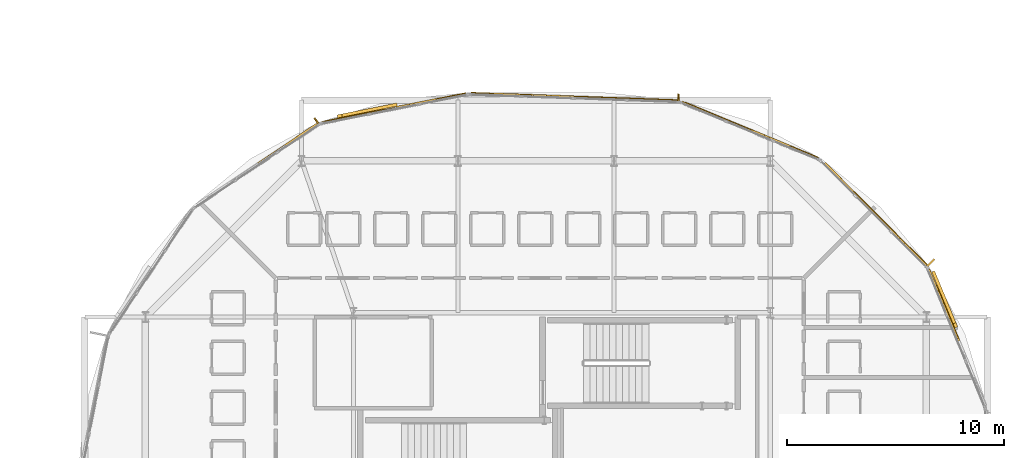
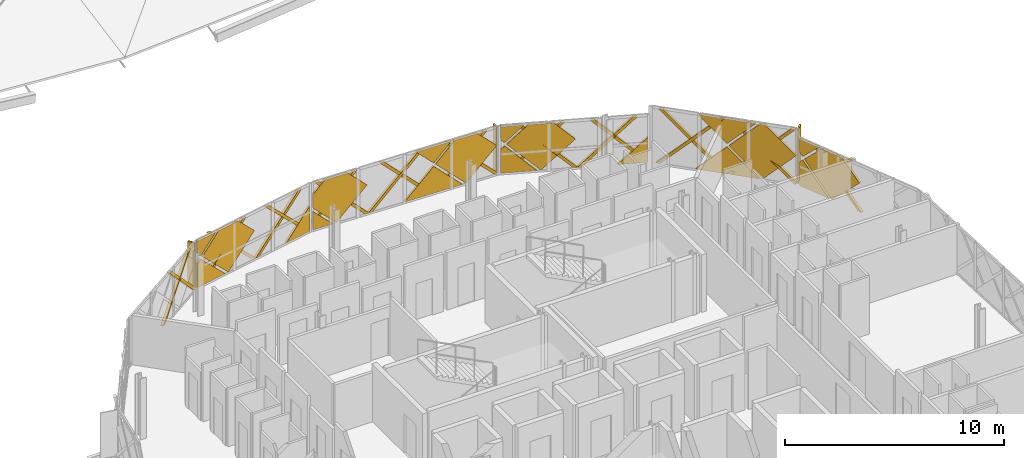
# One storey, part 40 of 40: 41 coverings, 3 shading devices.
"""IFC4 building model written with IfcOpenShell, lengths in metres."""

from ifc_helpers import new_model, si_unit, direction, frame, origin, origin_2d, place, context, subcontext, project, spatial, polyline, rectangle, outline, extrude, material, layer, layer_set, type_object, element, save


model = new_model("IFC4")

# Units and contexts
model_context = context("Model", 3, precision=1e-05, world=origin(), true_north=direction((0.0, 1.0)))
body_context = subcontext(model_context, "Body", "Model", "MODEL_VIEW")
ifc_project = project(units=[si_unit("LENGTHUNIT", "METRE"), si_unit("AREAUNIT", "SQUARE_METRE"), si_unit("VOLUMEUNIT", "CUBIC_METRE"), si_unit("PLANEANGLEUNIT", "RADIAN"), si_unit("MASSUNIT", "GRAM", prefix="KILO")], contexts=[model_context])

# Site, building, storey
site_placement = place(None, origin())
site = spatial("IfcSite", under=ifc_project, at=site_placement, CompositionType="ELEMENT")
building_placement = place(site_placement, origin())
building = spatial("IfcBuilding", under=site, at=building_placement, Name="Zevrakil Square Congress Hotel", CompositionType="ELEMENT")
storey_placement = place(building_placement, frame((0.0, 0.0, 18.10009765625)))
storey = spatial("IfcBuildingStorey", under=building, at=storey_placement, Name="L05", CompositionType="ELEMENT", Elevation=18.10009765625)

# Coverings
ifc_material_1 = material(Name="Architectural White Fibre-C GRC", Category="concrete")
ifc_layer_1 = layer(ifc_material_1, 0.06494140625)
ifc_layer_set_1 = layer_set([ifc_layer_1], Name="Architectural White Fibre-C GRC")
covering_type_1 = type_object("IfcCoveringType", Name="COV-DIA-WHITE", PredefinedType="CLADDING", material=ifc_layer_set_1)
covering_1_placement = place(storey_placement, frame((163.4228515625, 40.44482421875, 1.58984375), z_axis=(0.92386810369, 0.382710638562, 0.000542324282), x_axis=(-0.270236009364, 0.653355103566, -0.707177211092)))
element("IfcCovering", 1, at=covering_1_placement, inside=storey, type_object=covering_type_1, Name="L05 45-degree white GRC diamond facade cassette 2372", PredefinedType="CLADDING", context=body_context, shape_type="SweptSolid", body=[
    extrude(outline(polyline([(0.0, 0.0), (0.26272196635071365, 2.7755575615628914e-17), (1.1991408726097759, -0.9363095231817212), (0.00019873089311528425, -2.135490849810203), (0.0, 0.0)])), origin(), (0.0, 0.0, -1.0), 0.1201171875),
])
covering_2_placement = place(storey_placement, frame((163.45703125, 40.361572265625, 1.679931640625), z_axis=(0.923868132902, 0.382710536749, 0.000563975679), x_axis=(0.270971417338, -0.653086396592, -0.707144009076)))
element("IfcCovering", 2, at=covering_2_placement, inside=storey, type_object=covering_type_1, Name="L05 45-degree white GRC diamond facade cassette 2373", PredefinedType="CLADDING", context=body_context, shape_type="SweptSolid", body=[
    extrude(outline(polyline([(0.0, 0.0), (2.2486055332738273, 2.220446049250313e-16), (2.2485435087937033, -2.248781017207085), (0.8555762861579158, -2.2485473887816574), (-1.8291157834915417e-05, -1.3928624696393097), (0.0, 0.0)])), origin(), (0.0, 0.0, -1.0), 0.1201171875),
])
covering_3_placement = place(storey_placement, frame((163.422607421875, 40.444580078125, 1.77001953125), z_axis=(0.923928692641, 0.382564423491, 0.000482487648), x_axis=(0.270210514983, -0.653475304746, 0.707075882547)))
element("IfcCovering", 3, at=covering_3_placement, inside=storey, type_object=covering_type_1, Name="L05 45-degree white GRC diamond facade cassette 2374", PredefinedType="CLADDING", context=body_context, shape_type="SweptSolid", body=[
    extrude(outline(polyline([(0.0, 0.0), (1.265458715381095, 1.1102230246251565e-16), (0.5011885472184686, -0.7642036317921328), (1.4733281551077004e-05, -0.26272194843532876), (0.0, 0.0)])), origin(), (0.0, 0.0, -1.0), 0.1201171875),
])
covering_4_placement = place(storey_placement, frame((160.9169921875, 43.115234375, 1.58984375), z_axis=(0.707106614827, 0.707106614827, 0.000685956296), x_axis=(-0.499630908672, 0.500316900766, -0.707143517193)))
element("IfcCovering", 4, at=covering_4_placement, inside=storey, type_object=covering_type_1, Name="L05 45-degree white GRC diamond facade cassette 2379", PredefinedType="CLADDING", context=body_context, shape_type="SweptSolid", body=[
    extrude(outline(polyline([(0.0, 0.0), (2.135365352169135, -2.220446049250313e-16), (-2.124186131835515e-05, -2.135609493903064), (0.0, 0.0)])), origin(), (0.0, 0.0, -1.0), 0.1201171875),
])
covering_5_placement = place(storey_placement, frame((160.980712890625, 43.051513671875, 1.679931640625), z_axis=(0.707087362798, 0.707125901516, 0.000648672962), x_axis=(0.500316941405, -0.49964099132, -0.707136364456)))
element("IfcCovering", 5, at=covering_5_placement, inside=storey, type_object=covering_type_1, Name="L05 45-degree white GRC diamond facade cassette 2380", PredefinedType="CLADDING", context=body_context, shape_type="SweptSolid", body=[
    extrude(outline(polyline([(0.0, 0.0), (2.2486297484741664, 0.0), (2.248561203181544, -2.2345936899559224), (2.2342825169445337, -2.248627038440612), (0.19790152918434112, -2.2485454157540836), (-8.818845235603057e-05, -2.050539040138185), (0.0, 0.0)])), origin(), (0.0, 0.0, -1.0), 0.1201171875),
])
covering_6_placement = place(storey_placement, frame((160.9169921875, 43.114990234375, 1.77001953125), z_axis=(0.70710669002, 0.70710669002, 0.000507796546), x_axis=(0.499772437251, -0.500280207063, 0.707069462913)))
element("IfcCovering", 6, at=covering_6_placement, inside=storey, type_object=covering_type_1, Name="L05 45-degree white GRC diamond facade cassette 2381", PredefinedType="CLADDING", context=body_context, shape_type="SweptSolid", body=[
    extrude(outline(polyline([(0.0, 0.0), (1.9232385961724336, 1.1102230246251565e-16), (-0.00020250048524272923, -1.9232385855116536), (0.0, 0.0)])), origin(), (0.0, 0.0, -1.0), 0.1201171875),
])
covering_7_placement = place(storey_placement, frame((156.9140625, 46.2919921875, 0.079833984375), z_axis=(0.382647363944, 0.92389426878, 0.000612357606), x_axis=(0.923894442002, -0.382647435687, 0.0)))
element("IfcCovering", 7, at=covering_7_placement, inside=storey, type_object=covering_type_1, Name="L05 45-degree white GRC diamond facade cassette 2386", PredefinedType="CLADDING", context=body_context, shape_type="SweptSolid", body=[
    extrude(outline(polyline([(0.0, 0.0), (1.4100467713356626, 5.421010862427522e-20), (1.4098759103549634, -1.4101565143915655), (0.0, 0.0)])), origin(), (0.0, 0.0, -1.0), 0.1201171875),
])
covering_8_placement = place(storey_placement, frame((152.100341796875, 48.284912109375, 1.58984375), z_axis=(0.382714743738, 0.923866349879, 0.000626487164), x_axis=(-0.653201728691, 0.271070440395, -0.706999517665)))
element("IfcCovering", 8, at=covering_8_placement, inside=storey, type_object=covering_type_1, Name="L05 45-degree white GRC diamond facade cassette 2387", PredefinedType="CLADDING", context=body_context, shape_type="SweptSolid", body=[
    extrude(outline(polyline([(0.0, 0.0), (0.2627880900411389, -2.7755575615628914e-17), (1.199049172416016, -0.936467338451697), (-0.00019416830248641936, -2.135347450146476), (0.0, 0.0)])), origin(), (0.0, 0.0, -1.0), 0.1201171875),
])
covering_9_placement = place(storey_placement, frame((152.183349609375, 48.25048828125, 1.679931640625), z_axis=(0.382653329303, 0.923891819904, 0.000578522626), x_axis=(0.653463314974, -0.270205711108, -0.707088798998)))
element("IfcCovering", 9, at=covering_9_placement, inside=storey, type_object=covering_type_1, Name="L05 45-degree white GRC diamond facade cassette 2388", PredefinedType="CLADDING", context=body_context, shape_type="SweptSolid", body=[
    extrude(outline(polyline([(0.0, 0.0), (2.248781019445172, 0.0), (2.2486530265031996, -2.248539379325896), (0.8558565288965944, -2.248585405707619), (0.00019521218835394372, -1.3929672305248368), (0.0, 0.0)])), origin(), (0.0, 0.0, -1.0), 0.1201171875),
])
covering_10_placement = place(storey_placement, frame((152.100341796875, 48.284912109375, 1.77001953125), z_axis=(0.382719930923, 0.923864173966, 0.000665234678), x_axis=(0.653173255043, -0.27109261572, 0.707017321287)))
element("IfcCovering", 10, at=covering_10_placement, inside=storey, type_object=covering_type_1, Name="L05 45-degree white GRC diamond facade cassette 2389", PredefinedType="CLADDING", context=body_context, shape_type="SweptSolid", body=[
    extrude(outline(polyline([(0.0, 0.0), (1.2655635373964549, 1.1102230246251565e-16), (0.5012301623589793, -0.7641404184906057), (-6.974602123094309e-06, -0.2627219612777768), (0.0, 0.0)])), origin(), (0.0, 0.0, -1.0), 0.1201171875),
])
covering_11_placement = place(storey_placement, frame((148.44580078125, 48.52099609375, 1.58984375), z_axis=(0.035489676318, 0.999369883002, 0.000565528632), x_axis=(-0.706648253085, 0.025494670836, -0.707105556598)))
element("IfcCovering", 11, at=covering_11_placement, inside=storey, type_object=covering_type_1, Name="L05 45-degree white GRC diamond facade cassette 2394", PredefinedType="CLADDING", context=body_context, shape_type="SweptSolid", body=[
    extrude(outline(polyline([(0.0, 0.0), (2.1354799881517508, 0.0), (3.617342239548016e-05, -2.1354371012546096), (0.0, 0.0)])), origin(), (0.0, 0.0, -1.0), 0.1201171875),
])
covering_12_placement = place(storey_placement, frame((142.205810546875, 48.7431640625, 1.11376953125), z_axis=(0.035657829585, 0.99936380664, 0.000707931858), x_axis=(0.0, 0.000708382349, -0.999999749097)))
element("IfcCovering", 12, at=covering_12_placement, inside=storey, type_object=covering_type_1, Name="L05 45-degree white GRC diamond facade cassette 2395", PredefinedType="CLADDING", context=body_context, shape_type="SweptSolid", body=[
    extrude(outline(polyline([(0.0, 0.0), (1.0339358062923965, 0.0), (1.03390969161108, -1.0338606010160714), (0.0, 0.0)])), origin(), (0.0, 0.0, -1.0), 0.1201171875),
])
covering_13_placement = place(storey_placement, frame((148.53564453125, 48.517578125, 1.679931640625), z_axis=(0.035506235512, 0.999369302396, 0.000551966962), x_axis=(0.706672299409, -0.024716560878, -0.707109152017)))
element("IfcCovering", 13, at=covering_13_placement, inside=storey, type_object=covering_type_1, Name="L05 45-degree white GRC diamond facade cassette 2396", PredefinedType="CLADDING", context=body_context, shape_type="SweptSolid", body=[
    extrude(outline(polyline([(0.0, 0.0), (2.248716446108385, 2.220446049250313e-16), (2.248575577862706, -2.2344353438252833), (2.2344195840967336, -2.2485912383523816), (0.8556900163553832, -2.2485080325447555), (9.968098278656523e-05, -1.392911694046281), (0.0, 0.0)])), origin(), (0.0, 0.0, -1.0), 0.1201171875),
])
covering_14_placement = place(storey_placement, frame((143.408935546875, 48.700927734375, 0.08984375), z_axis=(0.035569453093, 0.999367035982, 0.00058429363), x_axis=(0.706603384833, -0.025562858353, 0.707147931352)))
element("IfcCovering", 14, at=covering_14_placement, inside=storey, type_object=covering_type_1, Name="L05 45-degree white GRC diamond facade cassette 2397", PredefinedType="CLADDING", context=body_context, shape_type="SweptSolid", body=[
    extrude(outline(polyline([(0.0, 0.0), (2.2485929143314225, -2.220446049250313e-16), (2.2485942679454523, -1.392887225158809), (1.393050901698934, -2.2485305270332105), (0.5461773992024778, -2.248513336623052), (9.340687229741906e-05, -1.7025176482123268), (0.0, 0.0)])), origin(), (0.0, 0.0, -1.0), 0.1201171875),
])
covering_15_placement = place(storey_placement, frame((148.44580078125, 48.520751953125, 1.77001953125), z_axis=(0.03546286601, 0.99937084329, 0.000550197304), x_axis=(0.706684505221, -0.025466108296, 0.707070355346)))
element("IfcCovering", 15, at=covering_15_placement, inside=storey, type_object=covering_type_1, Name="L05 45-degree white GRC diamond facade cassette 2398", PredefinedType="CLADDING", context=body_context, shape_type="SweptSolid", body=[
    extrude(outline(polyline([(0.0, 0.0), (1.2654686819487004, -1.1102230246251565e-16), (-0.0002780362905285827, -1.265616704255481), (0.0, 0.0)])), origin(), (0.0, 0.0, -1.0), 0.1201171875),
])
covering_16_placement = place(storey_placement, frame((140.60302734375, 48.451171875, 0.079833984375), z_axis=(-0.194983743053, 0.980806323849, 0.00054317914), x_axis=(0.980806468539, 0.194983771818, 0.0)))
element("IfcCovering", 16, at=covering_16_placement, inside=storey, type_object=covering_type_1, Name="L05 45-degree white GRC diamond facade cassette 2405", PredefinedType="CLADDING", context=body_context, shape_type="SweptSolid", body=[
    extrude(outline(polyline([(0.0, 0.0), (1.409872940642345, 0.0), (1.409969584966829, -1.4101564580288195), (0.0, 0.0)])), origin(), (0.0, 0.0, -1.0), 0.1201171875),
])
covering_17_placement = place(storey_placement, frame((135.493408203125, 47.433837890625, 1.58984375), z_axis=(-0.195072885636, 0.980788584828, 0.000566709906), x_axis=(-0.694292848277, -0.137682460413, -0.706400014812)))
element("IfcCovering", 17, at=covering_17_placement, inside=storey, type_object=covering_type_1, Name="L05 45-degree white GRC diamond facade cassette 2406", PredefinedType="CLADDING", context=body_context, shape_type="SweptSolid", body=[
    extrude(outline(polyline([(0.0, 0.0), (0.26266547193871315, 2.7755575615628914e-17), (1.1981652358479145, -0.9375727575880457), (-0.002050246652826493, -2.1353929644473197), (0.0, 0.0)])), origin(), (0.0, 0.0, -1.0), 0.1201171875),
])
covering_18_placement = place(storey_placement, frame((135.58154296875, 47.451416015625, 1.679931640625), z_axis=(-0.1950162541, 0.980799811959, 0.000624097602), x_axis=(0.693434642313, 0.138328264789, -0.707116459998)))
element("IfcCovering", 18, at=covering_18_placement, inside=storey, type_object=covering_type_1, Name="L05 45-degree white GRC diamond facade cassette 2407", PredefinedType="CLADDING", context=body_context, shape_type="SweptSolid", body=[
    extrude(outline(polyline([(0.0, 0.0), (2.248693060000993, 2.220446049250313e-16), (2.248530602566895, -2.248593056822484), (0.85573855043252, -2.2485889171417317), (-3.3584083419913036e-05, -1.3927930783181688), (0.0, 0.0)])), origin(), (0.0, 0.0, -1.0), 0.1201171875),
])
covering_19_placement = place(storey_placement, frame((135.493408203125, 47.43359375, 1.77001953125), z_axis=(-0.195051786649, 0.980792846364, 0.000439370836), x_axis=(0.693588027235, 0.137618155841, 0.707104583255)))
element("IfcCovering", 19, at=covering_19_placement, inside=storey, type_object=covering_type_1, Name="L05 45-degree white GRC diamond facade cassette 2408", PredefinedType="CLADDING", context=body_context, shape_type="SweptSolid", body=[
    extrude(outline(polyline([(0.0, 0.0), (1.2654074708621406, 0.0), (0.5013376235193183, -0.7640652000394936), (-0.00012751227143301125, -0.26252969844548074), (0.0, 0.0)])), origin(), (0.0, 0.0, -1.0), 0.1201171875),
])
ifc_material_2 = material(Name="Anodised Champagne Aluminium", Category="aluminium")
ifc_layer_2 = layer(ifc_material_2, 0.0849609375)
ifc_layer_set_2 = layer_set([ifc_layer_2], Name="Anodised Champagne Aluminium")
covering_type_2 = type_object("IfcCoveringType", Name="COV-DIAGRID-45", PredefinedType="MOLDING", material=ifc_layer_set_2)
covering_20_placement = place(storey_placement, frame((164.661376953125, 37.522216796875, 0.079833984375), z_axis=(0.923960368671, 0.382487334662, 0.000822161227), x_axis=(0.382487463933, -0.923960680946, 0.0)))
element("IfcCovering", 20, at=covering_20_placement, inside=storey, type_object=covering_type_2, Name="L05 45-degree aluminium diagrid rib 2376", PredefinedType="MOLDING", context=body_context, shape_type="SweptSolid", body=[
    extrude(outline(polyline([(0.0, 0.0), (0.21191462503525568, 1.3552527156068805e-20), (-2.373160958043723, -2.5849618111514316), (-2.5850755830789782, -2.5849618111514316), (0.0, 0.0)])), origin(), (0.0, 0.0, -1.0), 0.14501953125),
])
covering_21_placement = place(storey_placement, frame((164.505615234375, 37.893798828125, 2.664794921875), z_axis=(-0.924128955736, -0.382080713953, 3.4564495e-05), x_axis=(-0.382080714181, 0.924128956288, 0.0)))
element("IfcCovering", 21, at=covering_21_placement, inside=storey, type_object=covering_type_2, Name="L05 45-degree aluminium diagrid rib 2378", PredefinedType="MOLDING", context=body_context, shape_type="SweptSolid", body=[
    extrude(outline(polyline([(0.0, 0.0), (0.2121402219257289, -4.235164736271502e-22), (2.7972233290691957, 2.5849609390441315), (2.585083107143467, 2.5849609390441315), (0.0, 0.0)])), origin(), (0.0, 0.0, -1.0), 0.14501953125),
])
covering_22_placement = place(storey_placement, frame((163.1796875, 40.88916015625, 0.079833984375), z_axis=(0.706986236272, 0.707227190917, 0.000402678556), x_axis=(0.707227248236, -0.70698629361, 6.8609e-08)))
element("IfcCovering", 22, at=covering_22_placement, inside=storey, type_object=covering_type_2, Name="L05 45-degree aluminium diagrid rib 2382", PredefinedType="MOLDING", context=body_context, shape_type="SweptSolid", body=[
    extrude(outline(polyline([(0.0, 0.0), (0.08597147751945217, 0.0), (0.08597148617928302, -0.12622069289165455), (-2.837749376972262, -3.0500492760003053), (-3.050088568435969, -3.0500492760003053), (0.0, 0.0)])), origin(), (0.0, 0.0, -1.0), 0.14501953125),
])
covering_23_placement = place(storey_placement, frame((160.803955078125, 43.26513671875, 0.079833984375), z_axis=(0.70739416073, 0.706818575571, 0.001001296107), x_axis=(0.706818929608, -0.707394515633, 4.07196e-07)))
element("IfcCovering", 23, at=covering_23_placement, inside=storey, type_object=covering_type_2, Name="L05 45-degree aluminium diagrid rib 2383", PredefinedType="MOLDING", context=body_context, shape_type="SweptSolid", body=[
    extrude(outline(polyline([(0.0, 0.0), (0.21216661374355517, 1.3552527156068805e-20), (-2.8379197168788295, -3.050051512696679), (-3.049913626883216, -3.0500516854132305), (0.0, 0.0)])), origin(), (0.0, 0.0, -1.0), 0.14501953125),
])
covering_24_placement = place(storey_placement, frame((163.222412109375, 40.843994140625, 3.1298828125), z_axis=(0.707106667923, 0.707106667923, 0.000566002296), x_axis=(-0.707106781187, 0.707106781187, 0.0)))
element("IfcCovering", 24, at=covering_24_placement, inside=storey, type_object=covering_type_2, Name="L05 45-degree aluminium diagrid rib 2384", PredefinedType="MOLDING", context=body_context, shape_type="SweptSolid", body=[
    extrude(outline(polyline([(0.0, 0.0), (0.21199392756276378, 0.0), (3.2620824553957526, -3.0500493166798015), (3.0500885278329886, -3.0500493166798015), (0.0, 0.0)])), origin(), (0.0, 0.0, -1.0), 0.14501953125),
])
covering_25_placement = place(storey_placement, frame((160.846435546875, 43.2197265625, 3.1298828125), z_axis=(0.707394268914, 0.706819151622, 0.000187639325), x_axis=(-0.706819164055, 0.707394281377, -7.6369e-08)))
element("IfcCovering", 25, at=covering_25_placement, inside=storey, type_object=covering_type_2, Name="L05 45-degree aluminium diagrid rib 2385", PredefinedType="MOLDING", context=body_context, shape_type="SweptSolid", body=[
    extrude(outline(polyline([(0.0, 0.0), (0.2121666137149648, 3.3881317890172014e-21), (3.262255824313555, -3.0500486326828886), (3.049916647326116, -3.0500486651020693), (0.0, 0.0)])), origin(), (0.0, 0.0, -1.0), 0.14501953125),
])
covering_26_placement = place(storey_placement, frame((158.146728515625, 45.80859375, 0.079833984375), z_axis=(0.383184473222, 0.923671149063, 0.001125997495), x_axis=(0.923671734917, -0.383184715398, -7.10143e-07)))
element("IfcCovering", 26, at=covering_26_placement, inside=storey, type_object=covering_type_2, Name="L05 45-degree aluminium diagrid rib 2390", PredefinedType="MOLDING", context=body_context, shape_type="SweptSolid", body=[
    extrude(outline(polyline([(0.0, 0.0), (0.08614426810588853, 0.0), (0.08623772942704955, -0.12622087709459315), (-2.372624076796281, -2.5849608546564684), (-2.584857698223528, -2.5849607354547346), (0.0, 0.0)])), origin(), (0.0, 0.0, -1.0), 0.14501953125),
])
covering_27_placement = place(storey_placement, frame((155.04248046875, 47.09423828125, 0.079833984375), z_axis=(0.382283984767, 0.924044872817, 0.000167368108), x_axis=(0.924044885761, -0.382283990115, -3.6817e-08)))
element("IfcCovering", 27, at=covering_27_placement, inside=storey, type_object=covering_type_2, Name="L05 45-degree aluminium diagrid rib 2391", PredefinedType="MOLDING", context=body_context, shape_type="SweptSolid", body=[
    extrude(outline(polyline([(0.0, 0.0), (0.21214021679310652, 3.3881317890172014e-21), (-2.3729429426298583, -2.584960886340943), (-2.584857562527027, -2.584960870728607), (0.0, 0.0)])), origin(), (0.0, 0.0, -1.0), 0.14501953125),
])
covering_28_placement = place(storey_placement, frame((157.77392578125, 45.961181640625, 2.664794921875), z_axis=(0.383062893702, 0.923722233162, 0.000235434894), x_axis=(-0.923722258763, 0.383062904319, 0.0)))
element("IfcCovering", 28, at=covering_28_placement, inside=storey, type_object=covering_type_2, Name="L05 45-degree aluminium diagrid rib 2392", PredefinedType="MOLDING", context=body_context, shape_type="SweptSolid", body=[
    extrude(outline(polyline([(0.0, 0.0), (0.21223362327273487, 0.0), (2.797084510521853, -2.5849610091416646), (2.584850887249118, -2.5849610091416646), (0.0, 0.0)])), origin(), (0.0, 0.0, -1.0), 0.14501953125),
])
covering_29_placement = place(storey_placement, frame((154.669921875, 47.2470703125, 2.664794921875), z_axis=(0.382775380537, 0.923841331972, 0.000448771736), x_axis=(-0.923841424977, 0.382775419139, -1.3966e-07)))
element("IfcCovering", 29, at=covering_29_placement, inside=storey, type_object=covering_type_2, Name="L05 45-degree aluminium diagrid rib 2393", PredefinedType="MOLDING", context=body_context, shape_type="SweptSolid", body=[
    extrude(outline(polyline([(0.0, 0.0), (0.2122336129954984, 0.0), (2.797216642887445, -2.584960807141639), (2.585302028144905, -2.5849608663781254), (0.0, 0.0)])), origin(), (0.0, 0.0, -1.0), 0.14501953125),
])
covering_30_placement = place(storey_placement, frame((151.61865234375, 48.43408203125, 0.079833984375), z_axis=(0.035708064307, 0.999361988637, 0.000741492846), x_axis=(0.999362263343, -0.035708074782, 8.89327e-07)))
element("IfcCovering", 30, at=covering_30_placement, inside=storey, type_object=covering_type_2, Name="L05 45-degree aluminium diagrid rib 2399", PredefinedType="MOLDING", context=body_context, shape_type="SweptSolid", body=[
    extrude(outline(polyline([(0.0, 0.0), (0.08599602579809454, 4.235164736271502e-22), (0.08599613804961803, -0.12622066842613938), (-2.3727786340347254, -2.5849637941049566), (-2.585071787639105, -2.584963991970156), (0.0, 0.0)])), origin(), (0.0, 0.0, -1.0), 0.14501953125),
])
covering_31_placement = place(storey_placement, frame((148.2607421875, 48.553466796875, 0.079833984375), z_axis=(0.03567099946, 0.999363323589, 0.000726128736), x_axis=(0.999363587052, -0.035671008875, 1.4911e-08)))
element("IfcCovering", 31, at=covering_31_placement, inside=storey, type_object=covering_type_2, Name="L05 45-degree aluminium diagrid rib 2400", PredefinedType="MOLDING", context=body_context, shape_type="SweptSolid", body=[
    extrude(outline(polyline([(0.0, 0.0), (0.21204916866123885, 1.6940658945086007e-21), (-2.3727809656178143, -2.5849616543575133), (-2.585074119529798, -2.5849616606848196), (0.0, 0.0)])), origin(), (0.0, 0.0, -1.0), 0.14501953125),
])
covering_32_placement = place(storey_placement, frame((144.90283203125, 48.6728515625, 0.079833984375), z_axis=(0.035650501869, 0.999364068516, 0.00070730123), x_axis=(0.999364318495, -0.035650510786, 0.0)))
element("IfcCovering", 32, at=covering_32_placement, inside=storey, type_object=covering_type_2, Name="L05 45-degree aluminium diagrid rib 2401", PredefinedType="MOLDING", context=body_context, shape_type="SweptSolid", body=[
    extrude(outline(polyline([(0.0, 0.0), (0.2122931539566406, 8.470329472543003e-22), (-2.3727810421623614, -2.584961584095948), (-2.585074196119002, -2.584961584095948), (0.0, 0.0)])), origin(), (0.0, 0.0, -1.0), 0.14501953125),
])
covering_33_placement = place(storey_placement, frame((151.2158203125, 48.44677734375, 2.664794921875), z_axis=(0.035691526366, 0.999362738238, 0.000482044604), x_axis=(-0.999362854348, 0.035691530512, 0.0)))
element("IfcCovering", 33, at=covering_33_placement, inside=storey, type_object=covering_type_2, Name="L05 45-degree aluminium diagrid rib 2402", PredefinedType="MOLDING", context=body_context, shape_type="SweptSolid", body=[
    extrude(outline(polyline([(0.0, 0.0), (0.21204916870594673, 0.0), (2.7969925813128014, -2.5849612378298623), (2.5849434126068545, -2.5849612378298623), (0.0, 0.0)])), origin(), (0.0, 0.0, -1.0), 0.14501953125),
])
covering_34_placement = place(storey_placement, frame((147.858154296875, 48.566162109375, 2.664794921875), z_axis=(0.035650505909, 0.99936418177, 0.000523090158), x_axis=(-0.999364318495, 0.035650510786, 0.0)))
element("IfcCovering", 34, at=covering_34_placement, inside=storey, type_object=covering_type_2, Name="L05 45-degree aluminium diagrid rib 2403", PredefinedType="MOLDING", context=body_context, shape_type="SweptSolid", body=[
    extrude(outline(polyline([(0.0, 0.0), (0.2122931539566406, 0.0), (2.797236513240127, -2.584961291152861), (2.5849433592834865, -2.584961291152861), (0.0, 0.0)])), origin(), (0.0, 0.0, -1.0), 0.14501953125),
])
covering_35_placement = place(storey_placement, frame((144.500244140625, 48.685791015625, 2.664794921875), z_axis=(0.035320247546, 0.999375709512, 0.000819359991), x_axis=(-0.999376044997, 0.035320258852, 6.70951e-07)))
element("IfcCovering", 35, at=covering_35_placement, inside=storey, type_object=covering_type_2, Name="L05 45-degree aluminium diagrid rib 2404", PredefinedType="MOLDING", context=body_context, shape_type="SweptSolid", body=[
    extrude(outline(polyline([(0.0, 0.0), (0.21228451925490646, 0.0), (2.294947854142702, -2.08276591080715), (2.2949477117948756, -2.294924042715801), (0.0, 0.0)])), origin(), (0.0, 0.0, -1.0), 0.14501953125),
])
covering_36_placement = place(storey_placement, frame((141.896484375, 48.73388671875, 0.079833984375), z_axis=(-0.194535733649, 0.980894752008, 0.001154909518), x_axis=(0.980895406621, 0.194535861128, 1.993052e-06)))
element("IfcCovering", 36, at=covering_36_placement, inside=storey, type_object=covering_type_2, Name="L05 45-degree aluminium diagrid rib 2409", PredefinedType="MOLDING", context=body_context, shape_type="SweptSolid", body=[
    extrude(outline(polyline([(0.0, 0.0), (0.08608843975775217, 0.0), (0.08608869132212274, -0.12622061894712483), (-2.37282586958163, -2.584967473629775), (-2.5848862814400713, -2.5849679038249187), (0.0, 0.0)])), origin(), (0.0, 0.0, -1.0), 0.14501953125),
])
covering_37_placement = place(storey_placement, frame((138.601318359375, 48.078369140625, 0.079833984375), z_axis=(0.195783910453, -0.980647057355, 9.6480104e-05), x_axis=(0.980647061919, 0.195783911365, 1.0883e-08)))
element("IfcCovering", 37, at=covering_37_placement, inside=storey, type_object=covering_type_2, Name="L05 45-degree aluminium diagrid rib 2410", PredefinedType="MOLDING", context=body_context, shape_type="SweptSolid", body=[
    extrude(outline(polyline([(0.0, 0.0), (0.21186863150030014, 0.0), (-2.3730245796869247, 2.5849609753571325), (-2.585132626973826, 2.5849609799713718), (0.0, 0.0)])), origin(), (0.0, 0.0, -1.0), 0.14501953125),
])
covering_38_placement = place(storey_placement, frame((141.501708984375, 48.65380859375, 2.664794921875), z_axis=(-0.19511980893, 0.98077921657, 0.000623303648), x_axis=(-0.980779407047, -0.195119847048, 3.51823e-07)))
element("IfcCovering", 38, at=covering_38_placement, inside=storey, type_object=covering_type_2, Name="L05 45-degree aluminium diagrid rib 2411", PredefinedType="MOLDING", context=body_context, shape_type="SweptSolid", body=[
    extrude(outline(polyline([(0.0, 0.0), (0.212108014844328, 3.3881317890172014e-21), (2.797098972257622, -2.584962423721781), (2.5850385940947023, -2.5849622744896683), (0.0, 0.0)])), origin(), (0.0, 0.0, -1.0), 0.14501953125),
])
covering_39_placement = place(storey_placement, frame((138.206298828125, 47.998291015625, 2.664794921875), z_axis=(-0.195673266118, 0.980668369016, 0.001234073489), x_axis=(-0.980669115765, -0.195673415118, 0.0)))
element("IfcCovering", 39, at=covering_39_placement, inside=storey, type_object=covering_type_2, Name="L05 45-degree aluminium diagrid rib 2412", PredefinedType="MOLDING", context=body_context, shape_type="SweptSolid", body=[
    extrude(outline(polyline([(0.0, 0.0), (0.21210804863334146, -6.776263578034403e-21), (2.797098526677101, -2.584962905869062), (2.5849904780437596, -2.584962905869062), (0.0, 0.0)])), origin(), (0.0, 0.0, -1.0), 0.14501953125),
])
covering_40_placement = place(storey_placement, frame((135.010009765625, 47.2822265625, 0.079833984375), z_axis=(-0.555113914554, 0.83177351569, 0.001166389413), x_axis=(0.831774080677, 0.555114293378, -1.2548e-06)))
element("IfcCovering", 40, at=covering_40_placement, inside=storey, type_object=covering_type_2, Name="L05 45-degree aluminium diagrid rib 2416", PredefinedType="MOLDING", context=body_context, shape_type="SweptSolid", body=[
    extrude(outline(polyline([(0.0, 0.0), (0.0860625505713901, 0.0), (0.08612993608303474, -0.1262210122847975), (-2.372716135536549, -2.584959641999259), (-2.584994666794107, -2.5849594893230865), (0.0, 0.0)])), origin(), (0.0, 0.0, -1.0), 0.14501953125),
])
covering_41_placement = place(storey_placement, frame((134.67578125, 47.056884765625, 2.664794921875), z_axis=(-0.555629818833, 0.831429490565, 0.000711788171), x_axis=(-0.831429701318, -0.555629959384, -3.40858e-07)))
element("IfcCovering", 41, at=covering_41_placement, inside=storey, type_object=covering_type_2, Name="L05 45-degree aluminium diagrid rib 2418", PredefinedType="MOLDING", context=body_context, shape_type="SweptSolid", body=[
    extrude(outline(polyline([(0.0, 0.0), (0.21193991327518374, 1.3552527156068805e-20), (2.7968623399884764, -2.584960638992653), (2.58478677486774, -2.5849607835217587), (0.0, 0.0)])), origin(), (0.0, 0.0, -1.0), 0.14501953125),
])

# Shading devices
ifc_material_3 = material(Name="Aluminium Anodised Bronze", Category="aluminium")
shading_device_type_1 = type_object("IfcShadingDeviceType", Name="SHD-FIN-35", PredefinedType="JALOUSIE", material=ifc_material_3)
for number, where, z_axis, x_axis, name in (
    (42, (151.767333984375, 48.50390625, 0.099853515625), (0.0, 0.0, 1.0), (0.035544867817, 0.999368081525, 0.0), "L05 aluminium solar shading fin 132"),
    (43, (135.08984375, 47.42578125, 0.099853515625), (0.0, 0.0, 1.0), (-0.55557023302, 0.831469612303, 0.0), "L05 aluminium solar shading fin 133"),
):
    element("IfcShadingDevice", number, at=place(storey_placement, frame(where, z_axis=z_axis, x_axis=x_axis)), inside=storey, type_object=shading_device_type_1, Name=name, PredefinedType="JALOUSIE", context=body_context, shape_type="SweptSolid", body=[
        extrude(rectangle(XDim=0.35009765625, YDim=0.080078125, at=origin_2d()), origin(), (0.0, 0.0, 1.0), 2.544921875),
    ])
ifc_material_4 = material(Name="Aluminium Anodised Bronze", Category="aluminium")
shading_device_type_2 = type_object("IfcShadingDeviceType", Name="SHD-FIN-50", PredefinedType="JALOUSIE", material=ifc_material_4)
shading_device_placement = place(storey_placement, frame((163.38916015625, 40.89208984375, 0.10498046875), z_axis=(0.0, 0.0, 1.0), x_axis=(0.707106781187, 0.707106781187, 0.0)))
element("IfcShadingDevice", 44, at=shading_device_placement, inside=storey, type_object=shading_device_type_2, Name="L05 aluminium solar shading fin 131", PredefinedType="JALOUSIE", context=body_context, shape_type="SweptSolid", body=[
    extrude(rectangle(XDim=0.5, YDim=0.080078125, at=origin_2d()), origin(), (0.0, 0.0, 1.0), 3.0),
])

save(model, "model.ifc")
